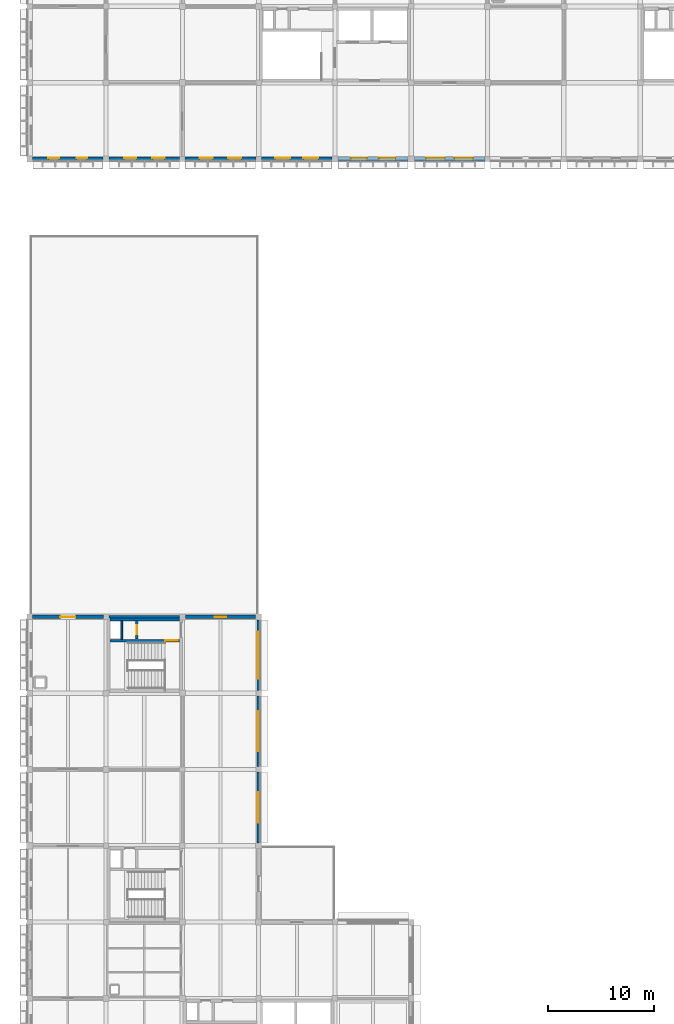
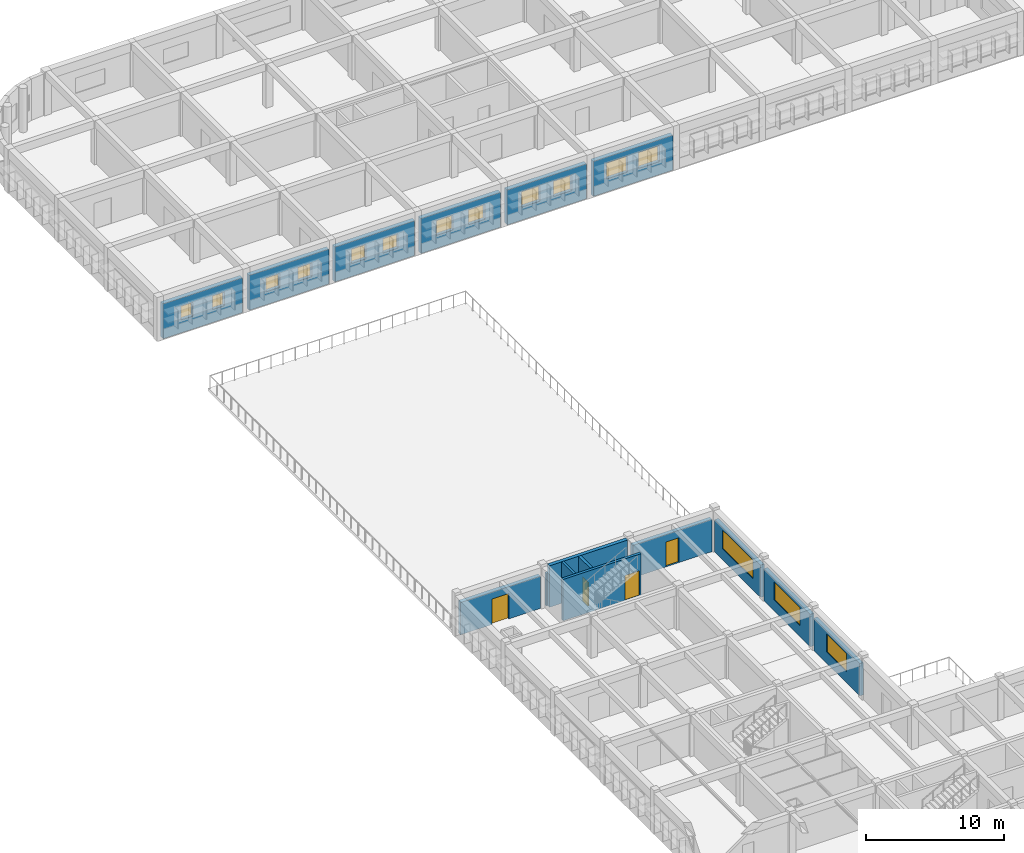
# One storey, part 14 of 22: 16 walls, 15 windows, 4 doors, 19 openings.
"""IFC4 building model written with IfcOpenShell, lengths in metres."""

from ifc_helpers import new_model, si_unit, direction, frame, frame_2d, origin, place, context, subcontext, project, spatial, rectangle, extrude, material, layer, layer_set, type_object, element, fill, save


model = new_model("IFC4")

# Units and contexts
model_context = context("Model", 3, precision=1e-05, world=origin(), true_north=direction((0.0, 1.0)))
body_context = subcontext(model_context, "Body", "Model", "MODEL_VIEW")
ifc_project = project(units=[si_unit("LENGTHUNIT", "METRE"), si_unit("AREAUNIT", "SQUARE_METRE"), si_unit("VOLUMEUNIT", "CUBIC_METRE"), si_unit("PLANEANGLEUNIT", "RADIAN"), si_unit("MASSUNIT", "GRAM", prefix="KILO")], contexts=[model_context])

# Site, building, storey
site_placement = place(None, origin())
site = spatial("IfcSite", under=ifc_project, at=site_placement, CompositionType="ELEMENT")
building_placement = place(site_placement, origin())
building = spatial("IfcBuilding", under=site, at=building_placement, Name="Thalmaran Polytechnic", CompositionType="ELEMENT")
storey_placement = place(building_placement, frame((0.0, 0.0, 22.800048828125)))
storey = spatial("IfcBuildingStorey", under=building, at=storey_placement, Name="L05", CompositionType="ELEMENT", Elevation=22.800048828125)

# Wall, openings, windows
ifc_material_1 = material(Name="Precast concrete C40/50", Category="concrete")
ifc_layer_1 = layer(ifc_material_1, 0.360107421875, Name="Precast concrete C40/50")
ifc_layer_set_1 = layer_set([ifc_layer_1], Name="Precast concrete C40/50")
wall_type_1 = type_object("IfcWallType", Name="WL-EW01", PredefinedType="STANDARD", material=ifc_layer_set_1)
wall_1_placement = place(storey_placement, frame((42.949951171875, 93.60009765625, 0.0), z_axis=(0.0, 0.0, 1.0), x_axis=(-1.0, 0.0, 0.0)))
wall_1 = element("IfcWall", 1, at=wall_1_placement, inside=storey, type_object=wall_type_1, Name="Exterior Precast Facade Wall L05-029", PredefinedType="STANDARD", context=body_context, shape_type="SweptSolid", body=[
    extrude(rectangle(XDim=6.659912109375, YDim=0.360107421875, at=frame_2d((3.330078125, 0.0))), origin(), (0.0, 0.0, 1.0), 3.094970703125),
])
opening_1_placement = place(wall_1_placement, frame((1.123046875, 0.0, 1.14990234375)))
opening_1 = element("IfcOpeningElement", 2, at=opening_1_placement, cuts=wall_1, Name="Opening VW08", PredefinedType="OPENING", context=body_context, shape_type="SweptSolid", body=[
    extrude(rectangle(XDim=1.75, YDim=1.39990234375, at=frame_2d((0.875, 0.699951171875))), frame((0.0, 0.18994140625, 0.0), z_axis=(0.0, -1.0, 0.0), x_axis=(1.0, 0.0, 0.0)), (0.0, 0.0, 1.0), 0.380126953125),
])
opening_2_placement = place(wall_1_placement, frame((3.787109375, 0.0, 1.14990234375)))
opening_2 = element("IfcOpeningElement", 3, at=opening_2_placement, cuts=wall_1, Name="Opening VW08", PredefinedType="OPENING", context=body_context, shape_type="SweptSolid", body=[
    extrude(rectangle(XDim=1.75, YDim=1.39990234375, at=frame_2d((0.875, 0.699951171875))), frame((0.0, 0.18994140625, 0.0), z_axis=(0.0, -1.0, 0.0), x_axis=(1.0, 0.0, 0.0)), (0.0, 0.0, 1.0), 0.380126953125),
])
ifc_material_2 = material(Name="Thermally broken aluminium and double low-E glass", Category="aluminium")
window_type_1 = type_object("IfcWindowType", Name="WN-VZ08", PartitioningType="SINGLE_PANEL", PredefinedType="WINDOW", material=ifc_material_2)
window_1_placement = place(opening_1_placement, origin())
window_1 = element("IfcWindow", 4, at=window_1_placement, inside=storey, type_object=window_type_1, Name="Deep-Set Solar-Screened Window W-0680", OverallHeight=1.39990234375, OverallWidth=1.75, PartitioningType="SINGLE_PANEL", PredefinedType="WINDOW", context=body_context, shape_type="SweptSolid", body=[
    extrude(rectangle(XDim=1.75, YDim=1.39990234375, at=frame_2d((0.875, 0.699951171875))), frame((0.0, -0.080078125, 0.0), z_axis=(0.0, -1.0, 0.0), x_axis=(1.0, 0.0, 0.0)), (0.0, 0.0, 1.0), 0.06005859375),
])
fill(opening_1, window_1)
window_2_placement = place(opening_2_placement, origin())
window_2 = element("IfcWindow", 5, at=window_2_placement, inside=storey, type_object=window_type_1, Name="Deep-Set Solar-Screened Window W-0681", OverallHeight=1.39990234375, OverallWidth=1.75, PartitioningType="SINGLE_PANEL", PredefinedType="WINDOW", context=body_context, shape_type="SweptSolid", body=[
    extrude(rectangle(XDim=1.75, YDim=1.39990234375, at=frame_2d((0.875, 0.699951171875))), frame((0.0, -0.080078125, 0.0), z_axis=(0.0, -1.0, 0.0), x_axis=(1.0, 0.0, 0.0)), (0.0, 0.0, 1.0), 0.06005859375),
])
fill(opening_2, window_2)

wall_2_placement = place(storey_placement, frame((35.7099609375, 93.60009765625, 0.0), z_axis=(0.0, 0.0, 1.0), x_axis=(-1.0, 0.0, 0.0)))
wall_2 = element("IfcWall", 6, at=wall_2_placement, inside=storey, type_object=wall_type_1, Name="Exterior Precast Facade Wall L05-030", PredefinedType="STANDARD", context=body_context, shape_type="SweptSolid", body=[
    extrude(rectangle(XDim=6.635009765625, YDim=0.360107421875, at=frame_2d((3.3173828125, 0.0))), origin(), (0.0, 0.0, 1.0), 3.094970703125),
])
opening_3_placement = place(wall_2_placement, frame((1.215576171875, 0.0, 1.14990234375)))
opening_3 = element("IfcOpeningElement", 7, at=opening_3_placement, cuts=wall_2, Name="Opening VW09", PredefinedType="OPENING", context=body_context, shape_type="SweptSolid", body=[
    extrude(rectangle(XDim=1.550048828125, YDim=1.35009765625, at=frame_2d((0.77490234375, 0.675048828125))), frame((0.0, 0.18994140625, 0.0), z_axis=(0.0, -1.0, 0.0), x_axis=(1.0, 0.0, 0.0)), (0.0, 0.0, 1.0), 0.380126953125),
])
opening_4_placement = place(wall_2_placement, frame((3.869384765625, 0.0, 1.14990234375)))
opening_4 = element("IfcOpeningElement", 8, at=opening_4_placement, cuts=wall_2, Name="Opening VW09", PredefinedType="OPENING", context=body_context, shape_type="SweptSolid", body=[
    extrude(rectangle(XDim=1.550048828125, YDim=1.35009765625, at=frame_2d((0.77490234375, 0.675048828125))), frame((0.0, 0.18994140625, 0.0), z_axis=(0.0, -1.0, 0.0), x_axis=(1.0, 0.0, 0.0)), (0.0, 0.0, 1.0), 0.380126953125),
])
window_type_2 = type_object("IfcWindowType", Name="WN-VZ09", PartitioningType="SINGLE_PANEL", PredefinedType="WINDOW", material=ifc_material_2)
window_3_placement = place(opening_3_placement, origin())
window_3 = element("IfcWindow", 9, at=window_3_placement, inside=storey, type_object=window_type_2, Name="Deep-Set Solar-Screened Window W-0682", OverallHeight=1.35009765625, OverallWidth=1.550048828125, PartitioningType="SINGLE_PANEL", PredefinedType="WINDOW", context=body_context, shape_type="SweptSolid", body=[
    extrude(rectangle(XDim=1.550048828125, YDim=1.35009765625, at=frame_2d((0.77490234375, 0.675048828125))), frame((0.0, -0.080078125, 0.0), z_axis=(0.0, -1.0, 0.0), x_axis=(1.0, 0.0, 0.0)), (0.0, 0.0, 1.0), 0.06005859375),
])
fill(opening_3, window_3)
window_4_placement = place(opening_4_placement, origin())
window_4 = element("IfcWindow", 10, at=window_4_placement, inside=storey, type_object=window_type_2, Name="Deep-Set Solar-Screened Window W-0683", OverallHeight=1.35009765625, OverallWidth=1.550048828125, PartitioningType="SINGLE_PANEL", PredefinedType="WINDOW", context=body_context, shape_type="SweptSolid", body=[
    extrude(rectangle(XDim=1.550048828125, YDim=1.35009765625, at=frame_2d((0.77490234375, 0.675048828125))), frame((0.0, -0.080078125, 0.0), z_axis=(0.0, -1.0, 0.0), x_axis=(1.0, 0.0, 0.0)), (0.0, 0.0, 1.0), 0.06005859375),
])
fill(opening_4, window_4)

wall_3_placement = place(storey_placement, frame((28.52490234375, 93.60009765625, 0.0), z_axis=(0.0, 0.0, 1.0), x_axis=(-1.0, 0.0, 0.0)))
wall_3 = element("IfcWall", 11, at=wall_3_placement, inside=storey, type_object=wall_type_1, Name="Exterior Precast Facade Wall L05-031", PredefinedType="STANDARD", context=body_context, shape_type="SweptSolid", body=[
    extrude(rectangle(XDim=6.664794921875, YDim=0.360107421875, at=frame_2d((3.33251953125, 0.0))), origin(), (0.0, 0.0, 1.0), 3.094970703125),
])
opening_5_placement = place(wall_3_placement, frame((1.299560546875, 0.0, 1.14990234375)))
opening_5 = element("IfcOpeningElement", 12, at=opening_5_placement, cuts=wall_3, Name="Opening VW10", PredefinedType="OPENING", context=body_context, shape_type="SweptSolid", body=[
    extrude(rectangle(XDim=1.39990234375, YDim=1.300048828125, at=frame_2d((0.699951171875, 0.64990234375))), frame((0.0, 0.18994140625, 0.0), z_axis=(0.0, -1.0, 0.0), x_axis=(1.0, 0.0, 0.0)), (0.0, 0.0, 1.0), 0.380126953125),
])
opening_6_placement = place(wall_3_placement, frame((3.965576171875, 0.0, 1.14990234375)))
opening_6 = element("IfcOpeningElement", 13, at=opening_6_placement, cuts=wall_3, Name="Opening VW10", PredefinedType="OPENING", context=body_context, shape_type="SweptSolid", body=[
    extrude(rectangle(XDim=1.39990234375, YDim=1.300048828125, at=frame_2d((0.699951171875, 0.64990234375))), frame((0.0, 0.18994140625, 0.0), z_axis=(0.0, -1.0, 0.0), x_axis=(1.0, 0.0, 0.0)), (0.0, 0.0, 1.0), 0.380126953125),
])
window_type_3 = type_object("IfcWindowType", Name="WN-VZ10", PartitioningType="SINGLE_PANEL", PredefinedType="WINDOW", material=ifc_material_2)
window_5_placement = place(opening_5_placement, origin())
window_5 = element("IfcWindow", 14, at=window_5_placement, inside=storey, type_object=window_type_3, Name="Deep-Set Solar-Screened Window W-0684", OverallHeight=1.300048828125, OverallWidth=1.39990234375, PartitioningType="SINGLE_PANEL", PredefinedType="WINDOW", context=body_context, shape_type="SweptSolid", body=[
    extrude(rectangle(XDim=1.39990234375, YDim=1.300048828125, at=frame_2d((0.699951171875, 0.64990234375))), frame((0.0, -0.080078125, 0.0), z_axis=(0.0, -1.0, 0.0), x_axis=(1.0, 0.0, 0.0)), (0.0, 0.0, 1.0), 0.06005859375),
])
fill(opening_5, window_5)
window_6_placement = place(opening_6_placement, origin())
window_6 = element("IfcWindow", 15, at=window_6_placement, inside=storey, type_object=window_type_3, Name="Deep-Set Solar-Screened Window W-0685", OverallHeight=1.300048828125, OverallWidth=1.39990234375, PartitioningType="SINGLE_PANEL", PredefinedType="WINDOW", context=body_context, shape_type="SweptSolid", body=[
    extrude(rectangle(XDim=1.39990234375, YDim=1.300048828125, at=frame_2d((0.699951171875, 0.64990234375))), frame((0.0, -0.080078125, 0.0), z_axis=(0.0, -1.0, 0.0), x_axis=(1.0, 0.0, 0.0)), (0.0, 0.0, 1.0), 0.06005859375),
])
fill(opening_6, window_6)

wall_4_placement = place(storey_placement, frame((21.340087890625, 93.60009765625, 0.0), z_axis=(0.0, 0.0, 1.0), x_axis=(-1.0, 0.0, 0.0)))
wall_4 = element("IfcWall", 16, at=wall_4_placement, inside=storey, type_object=wall_type_1, Name="Exterior Precast Facade Wall L05-032", PredefinedType="STANDARD", context=body_context, shape_type="SweptSolid", body=[
    extrude(rectangle(XDim=6.690185546875, YDim=0.360107421875, at=frame_2d((3.34521484375, 0.0))), origin(), (0.0, 0.0, 1.0), 3.094970703125),
])
opening_7_placement = place(wall_4_placement, frame((1.382080078125, 0.0, 1.14990234375)))
opening_7 = element("IfcOpeningElement", 17, at=opening_7_placement, cuts=wall_4, Name="Opening VW11", PredefinedType="OPENING", context=body_context, shape_type="SweptSolid", body=[
    extrude(rectangle(XDim=1.25, YDim=1.25, at=frame_2d((0.625, 0.625))), frame((0.0, 0.18994140625, 0.0), z_axis=(0.0, -1.0, 0.0), x_axis=(1.0, 0.0, 0.0)), (0.0, 0.0, 1.0), 0.380126953125),
])
opening_8_placement = place(wall_4_placement, frame((4.05810546875, 0.0, 1.14990234375)))
opening_8 = element("IfcOpeningElement", 18, at=opening_8_placement, cuts=wall_4, Name="Opening VW11", PredefinedType="OPENING", context=body_context, shape_type="SweptSolid", body=[
    extrude(rectangle(XDim=1.25, YDim=1.25, at=frame_2d((0.625, 0.625))), frame((0.0, 0.18994140625, 0.0), z_axis=(0.0, -1.0, 0.0), x_axis=(1.0, 0.0, 0.0)), (0.0, 0.0, 1.0), 0.380126953125),
])
window_type_4 = type_object("IfcWindowType", Name="WN-VZ11", PartitioningType="SINGLE_PANEL", PredefinedType="WINDOW", material=ifc_material_2)
window_7_placement = place(opening_7_placement, origin())
window_7 = element("IfcWindow", 19, at=window_7_placement, inside=storey, type_object=window_type_4, Name="Deep-Set Solar-Screened Window W-0686", OverallHeight=1.25, OverallWidth=1.25, PartitioningType="SINGLE_PANEL", PredefinedType="WINDOW", context=body_context, shape_type="SweptSolid", body=[
    extrude(rectangle(XDim=1.25, YDim=1.25, at=frame_2d((0.625, 0.625))), frame((0.0, -0.080078125, 0.0), z_axis=(0.0, -1.0, 0.0), x_axis=(1.0, 0.0, 0.0)), (0.0, 0.0, 1.0), 0.06005859375),
])
fill(opening_7, window_7)
window_8_placement = place(opening_8_placement, origin())
window_8 = element("IfcWindow", 20, at=window_8_placement, inside=storey, type_object=window_type_4, Name="Deep-Set Solar-Screened Window W-0687", OverallHeight=1.25, OverallWidth=1.25, PartitioningType="SINGLE_PANEL", PredefinedType="WINDOW", context=body_context, shape_type="SweptSolid", body=[
    extrude(rectangle(XDim=1.25, YDim=1.25, at=frame_2d((0.625, 0.625))), frame((0.0, -0.080078125, 0.0), z_axis=(0.0, -1.0, 0.0), x_axis=(1.0, 0.0, 0.0)), (0.0, 0.0, 1.0), 0.06005859375),
])
fill(opening_8, window_8)

wall_5_placement = place(storey_placement, frame((14.14990234375, 93.60009765625, 0.0), z_axis=(0.0, 0.0, 1.0), x_axis=(-1.0, 0.0, 0.0)))
wall_5 = element("IfcWall", 21, at=wall_5_placement, inside=storey, type_object=wall_type_1, Name="Exterior Precast Facade Wall L05-033", PredefinedType="STANDARD", context=body_context, shape_type="SweptSolid", body=[
    extrude(rectangle(XDim=6.659912109375, YDim=0.360107421875, at=frame_2d((3.330078125, 0.0))), origin(), (0.0, 0.0, 1.0), 3.094970703125),
])
opening_9_placement = place(wall_5_placement, frame((1.423095703125, 0.0, 1.14990234375)))
opening_9 = element("IfcOpeningElement", 22, at=opening_9_placement, cuts=wall_5, Name="Opening VW12", PredefinedType="OPENING", context=body_context, shape_type="SweptSolid", body=[
    extrude(rectangle(XDim=1.14990234375, YDim=1.199951171875, at=frame_2d((0.574951171875, 0.60009765625))), frame((0.0, 0.18994140625, 0.0), z_axis=(0.0, -1.0, 0.0), x_axis=(1.0, 0.0, 0.0)), (0.0, 0.0, 1.0), 0.380126953125),
])
opening_10_placement = place(wall_5_placement, frame((4.0869140625, 0.0, 1.14990234375)))
opening_10 = element("IfcOpeningElement", 23, at=opening_10_placement, cuts=wall_5, Name="Opening VW12", PredefinedType="OPENING", context=body_context, shape_type="SweptSolid", body=[
    extrude(rectangle(XDim=1.14990234375, YDim=1.199951171875, at=frame_2d((0.574951171875, 0.60009765625))), frame((0.0, 0.18994140625, 0.0), z_axis=(0.0, -1.0, 0.0), x_axis=(1.0, 0.0, 0.0)), (0.0, 0.0, 1.0), 0.380126953125),
])
window_type_5 = type_object("IfcWindowType", Name="WN-VZ12", PartitioningType="SINGLE_PANEL", PredefinedType="WINDOW", material=ifc_material_2)
window_9_placement = place(opening_9_placement, origin())
window_9 = element("IfcWindow", 24, at=window_9_placement, inside=storey, type_object=window_type_5, Name="Deep-Set Solar-Screened Window W-0688", OverallHeight=1.199951171875, OverallWidth=1.14990234375, PartitioningType="SINGLE_PANEL", PredefinedType="WINDOW", context=body_context, shape_type="SweptSolid", body=[
    extrude(rectangle(XDim=1.14990234375, YDim=1.199951171875, at=frame_2d((0.574951171875, 0.60009765625))), frame((0.0, -0.080078125, 0.0), z_axis=(0.0, -1.0, 0.0), x_axis=(1.0, 0.0, 0.0)), (0.0, 0.0, 1.0), 0.06005859375),
])
fill(opening_9, window_9)
window_10_placement = place(opening_10_placement, origin())
window_10 = element("IfcWindow", 25, at=window_10_placement, inside=storey, type_object=window_type_5, Name="Deep-Set Solar-Screened Window W-0689", OverallHeight=1.199951171875, OverallWidth=1.14990234375, PartitioningType="SINGLE_PANEL", PredefinedType="WINDOW", context=body_context, shape_type="SweptSolid", body=[
    extrude(rectangle(XDim=1.14990234375, YDim=1.199951171875, at=frame_2d((0.574951171875, 0.60009765625))), frame((0.0, -0.080078125, 0.0), z_axis=(0.0, -1.0, 0.0), x_axis=(1.0, 0.0, 0.0)), (0.0, 0.0, 1.0), 0.06005859375),
])
fill(opening_10, window_10)

wall_6_placement = place(storey_placement, frame((6.909912109375, 93.60009765625, 0.0), z_axis=(0.0, 0.0, 1.0), x_axis=(-1.0, 0.0, 0.0)))
wall_6 = element("IfcWall", 26, at=wall_6_placement, inside=storey, type_object=wall_type_1, Name="Exterior Precast Facade Wall L05-034", PredefinedType="STANDARD", context=body_context, shape_type="SweptSolid", body=[
    extrude(rectangle(XDim=6.635009765625, YDim=0.360107421875, at=frame_2d((3.3173828125, 0.0))), origin(), (0.0, 0.0, 1.0), 3.094970703125),
])
opening_11_placement = place(wall_6_placement, frame((1.490478515625, 0.0, 1.14990234375)))
opening_11 = element("IfcOpeningElement", 27, at=opening_11_placement, cuts=wall_6, Name="Opening VW13", PredefinedType="OPENING", context=body_context, shape_type="SweptSolid", body=[
    extrude(rectangle(XDim=1.0, YDim=1.199951171875, at=frame_2d((0.5, 0.60009765625))), frame((0.0, 0.18994140625, 0.0), z_axis=(0.0, -1.0, 0.0), x_axis=(1.0, 0.0, 0.0)), (0.0, 0.0, 1.0), 0.380126953125),
])
opening_12_placement = place(wall_6_placement, frame((4.14453125, 0.0, 1.14990234375)))
opening_12 = element("IfcOpeningElement", 28, at=opening_12_placement, cuts=wall_6, Name="Opening VW13", PredefinedType="OPENING", context=body_context, shape_type="SweptSolid", body=[
    extrude(rectangle(XDim=1.0, YDim=1.199951171875, at=frame_2d((0.5, 0.60009765625))), frame((0.0, 0.18994140625, 0.0), z_axis=(0.0, -1.0, 0.0), x_axis=(1.0, 0.0, 0.0)), (0.0, 0.0, 1.0), 0.380126953125),
])
window_type_6 = type_object("IfcWindowType", Name="WN-VZ13", PartitioningType="SINGLE_PANEL", PredefinedType="WINDOW", material=ifc_material_2)
window_11_placement = place(opening_11_placement, origin())
window_11 = element("IfcWindow", 29, at=window_11_placement, inside=storey, type_object=window_type_6, Name="Deep-Set Solar-Screened Window W-0690", OverallHeight=1.199951171875, OverallWidth=1.0, PartitioningType="SINGLE_PANEL", PredefinedType="WINDOW", context=body_context, shape_type="SweptSolid", body=[
    extrude(rectangle(XDim=1.0, YDim=1.199951171875, at=frame_2d((0.5, 0.60009765625))), frame((0.0, -0.080078125, 0.0), z_axis=(0.0, -1.0, 0.0), x_axis=(1.0, 0.0, 0.0)), (0.0, 0.0, 1.0), 0.06005859375),
])
fill(opening_11, window_11)
window_12_placement = place(opening_12_placement, origin())
window_12 = element("IfcWindow", 30, at=window_12_placement, inside=storey, type_object=window_type_6, Name="Deep-Set Solar-Screened Window W-0691", OverallHeight=1.199951171875, OverallWidth=1.0, PartitioningType="SINGLE_PANEL", PredefinedType="WINDOW", context=body_context, shape_type="SweptSolid", body=[
    extrude(rectangle(XDim=1.0, YDim=1.199951171875, at=frame_2d((0.5, 0.60009765625))), frame((0.0, -0.080078125, 0.0), z_axis=(0.0, -1.0, 0.0), x_axis=(1.0, 0.0, 0.0)), (0.0, 0.0, 1.0), 0.06005859375),
])
fill(opening_12, window_12)

# Wall, opening, door
ifc_layer_2 = layer(ifc_material_1, 0.330078125, Name="Precast concrete C40/50")
ifc_layer_set_2 = layer_set([ifc_layer_2], Name="Precast concrete C40/50")
wall_type_2 = type_object("IfcWallType", Name="WL-EW02", PredefinedType="STANDARD", material=ifc_layer_set_2)
wall_7_placement = place(storey_placement, frame((0.25, 50.39990234375, 0.0), z_axis=(0.0, 0.0, 1.0), x_axis=(1.0, 0.0, 0.0)))
wall_7 = element("IfcWall", 31, at=wall_7_placement, inside=storey, type_object=wall_type_2, Name="Terrace Access Wall L05-046", PredefinedType="STANDARD", context=body_context, shape_type="SweptSolid", body=[
    extrude(rectangle(XDim=6.68994140625, YDim=0.330078125, at=frame_2d((3.344970703125, 0.0))), origin(), (0.0, 0.0, 1.0), 2.864990234375),
])
opening_13_placement = place(wall_7_placement, frame((2.64501953125, 0.0, 0.0)))
opening_13 = element("IfcOpeningElement", 32, at=opening_13_placement, cuts=wall_7, Name="Opening TD-017", PredefinedType="OPENING", context=body_context, shape_type="SweptSolid", body=[
    extrude(rectangle(XDim=1.39990234375, YDim=2.25, at=frame_2d((0.699951171875, 1.125))), frame((0.0, 0.175048828125, 0.0), z_axis=(0.0, -1.0, 0.0), x_axis=(1.0, 0.0, 0.0)), (0.0, 0.0, 1.0), 0.35009765625),
])
ifc_material_3 = material(Name="Anodised aluminium and safety glass", Category="aluminium")
door_type_1 = type_object("IfcDoorType", Name="DR-TD01", OperationType="NOTDEFINED", PredefinedType="DOOR", material=ifc_material_3)
door_1_placement = place(opening_13_placement, origin())
door_1 = element("IfcDoor", 33, at=door_1_placement, inside=storey, type_object=door_type_1, Name="Terrace Access Door TD-017", OperationType="SINGLE_SWING_LEFT", OverallHeight=2.25, OverallWidth=1.39990234375, PredefinedType="DOOR", context=body_context, shape_type="SweptSolid", body=[
    extrude(rectangle(XDim=1.39990234375, YDim=2.25, at=frame_2d((0.699951171875, 1.125))), frame((0.0, 0.02490234375, 0.0), z_axis=(0.0, -1.0, 0.0), x_axis=(1.0, 0.0, 0.0)), (0.0, 0.0, 1.0), 0.050048828125),
])
fill(opening_13, door_1)

wall_8_placement = place(storey_placement, frame((14.675048828125, 50.39990234375, 0.0), z_axis=(0.0, 0.0, 1.0), x_axis=(1.0, 0.0, 0.0)))
wall_8 = element("IfcWall", 34, at=wall_8_placement, inside=storey, type_object=wall_type_2, Name="Terrace Access Wall L05-048", PredefinedType="STANDARD", context=body_context, shape_type="SweptSolid", body=[
    extrude(rectangle(XDim=6.635009765625, YDim=0.330078125, at=frame_2d((3.3173828125, 0.0))), origin(), (0.0, 0.0, 1.0), 2.864990234375),
])
opening_14_placement = place(wall_8_placement, frame((2.767578125, 0.0, 0.0)))
opening_14 = element("IfcOpeningElement", 35, at=opening_14_placement, cuts=wall_8, Name="Opening TD-018", PredefinedType="OPENING", context=body_context, shape_type="SweptSolid", body=[
    extrude(rectangle(XDim=1.10009765625, YDim=2.199951171875, at=frame_2d((0.550048828125, 1.10009765625))), frame((0.0, 0.175048828125, 0.0), z_axis=(0.0, -1.0, 0.0), x_axis=(1.0, 0.0, 0.0)), (0.0, 0.0, 1.0), 0.35009765625),
])
door_type_2 = type_object("IfcDoorType", Name="DR-TD02", OperationType="NOTDEFINED", PredefinedType="DOOR", material=ifc_material_3)
door_2_placement = place(opening_14_placement, origin())
door_2 = element("IfcDoor", 36, at=door_2_placement, inside=storey, type_object=door_type_2, Name="Terrace Access Door TD-018", OperationType="SINGLE_SWING_RIGHT", OverallHeight=2.199951171875, OverallWidth=1.10009765625, PredefinedType="DOOR", context=body_context, shape_type="SweptSolid", body=[
    extrude(rectangle(XDim=1.10009765625, YDim=2.199951171875, at=frame_2d((0.550048828125, 1.10009765625))), frame((0.0, 0.02490234375, 0.0), z_axis=(0.0, -1.0, 0.0), x_axis=(1.0, 0.0, 0.0)), (0.0, 0.0, 1.0), 0.050048828125),
])
fill(opening_14, door_2)

# Wall, opening, window
ifc_layer_3 = layer(ifc_material_1, 0.31005859375, Name="Precast concrete C40/50")
ifc_layer_set_3 = layer_set([ifc_layer_3], Name="Precast concrete C40/50")
wall_type_3 = type_object("IfcWallType", Name="WL-EW03", PredefinedType="STANDARD", material=ifc_layer_set_3)
wall_9_placement = place(storey_placement, frame((21.60009765625, 50.110107421875, 0.0), z_axis=(0.0, 0.0, 1.0), x_axis=(0.0, -1.0, 0.0)))
wall_9 = element("IfcWall", 37, at=wall_9_placement, inside=storey, type_object=wall_type_3, Name="Exterior Precast Facade Wall L05-049", PredefinedType="STANDARD", context=body_context, shape_type="SweptSolid", body=[
    extrude(rectangle(XDim=6.66015625, YDim=0.31005859375, at=frame_2d((3.330078125, 0.0))), origin(), (0.0, 0.0, 1.0), 2.864990234375),
])
opening_15_placement = place(wall_9_placement, frame((1.1298828125, 0.0, 0.97998046875)))
opening_15 = element("IfcOpeningElement", 38, at=opening_15_placement, cuts=wall_9, Name="Opening VW16", PredefinedType="OPENING", context=body_context, shape_type="SweptSolid", body=[
    extrude(rectangle(XDim=4.39990234375, YDim=1.64990234375, at=frame_2d((2.199951171875, 0.824951171875))), frame((0.0, 0.1650390625, 0.0), z_axis=(0.0, -1.0, 0.0), x_axis=(1.0, 0.0, 0.0)), (0.0, 0.0, 1.0), 0.330078125),
])
window_type_7 = type_object("IfcWindowType", Name="WN-VZ16", PartitioningType="TRIPLE_PANEL_HORIZONTAL", PredefinedType="WINDOW", material=ifc_material_2)
window_13_placement = place(opening_15_placement, origin())
window_13 = element("IfcWindow", 39, at=window_13_placement, inside=storey, type_object=window_type_7, Name="Streamline Ribbon Window W-0708", OverallHeight=1.64990234375, OverallWidth=4.39990234375, PartitioningType="SINGLE_PANEL", PredefinedType="WINDOW", context=body_context, shape_type="SweptSolid", body=[
    extrude(rectangle(XDim=4.39990234375, YDim=1.64990234375, at=frame_2d((2.199951171875, 0.824951171875))), frame((0.0, -0.030029296875, 0.0), z_axis=(0.0, -1.0, 0.0), x_axis=(1.0, 0.0, 0.0)), (0.0, 0.0, 1.0), 0.06005859375),
])
fill(opening_15, window_13)

wall_10_placement = place(storey_placement, frame((21.60009765625, 42.949951171875, 0.0), z_axis=(0.0, 0.0, 1.0), x_axis=(0.0, -1.0, 0.0)))
wall_10 = element("IfcWall", 40, at=wall_10_placement, inside=storey, type_object=wall_type_3, Name="Exterior Precast Facade Wall L05-050", PredefinedType="STANDARD", context=body_context, shape_type="SweptSolid", body=[
    extrude(rectangle(XDim=6.68994140625, YDim=0.31005859375, at=frame_2d((3.344970703125, 0.0))), origin(), (0.0, 0.0, 1.0), 2.864990234375),
])
opening_16_placement = place(wall_10_placement, frame((1.445068359375, 0.0, 0.97998046875)))
opening_16 = element("IfcOpeningElement", 41, at=opening_16_placement, cuts=wall_10, Name="Opening VW17", PredefinedType="OPENING", context=body_context, shape_type="SweptSolid", body=[
    extrude(rectangle(XDim=3.800048828125, YDim=1.60009765625, at=frame_2d((1.89990234375, 0.800048828125))), frame((0.0, 0.1650390625, 0.0), z_axis=(0.0, -1.0, 0.0), x_axis=(1.0, 0.0, 0.0)), (0.0, 0.0, 1.0), 0.330078125),
])
window_type_8 = type_object("IfcWindowType", Name="WN-VZ17", PartitioningType="DOUBLE_PANEL_VERTICAL", PredefinedType="WINDOW", material=ifc_material_2)
window_14_placement = place(opening_16_placement, origin())
window_14 = element("IfcWindow", 42, at=window_14_placement, inside=storey, type_object=window_type_8, Name="Streamline Ribbon Window W-0709", OverallHeight=1.60009765625, OverallWidth=3.800048828125, PartitioningType="SINGLE_PANEL", PredefinedType="WINDOW", context=body_context, shape_type="SweptSolid", body=[
    extrude(rectangle(XDim=3.800048828125, YDim=1.60009765625, at=frame_2d((1.89990234375, 0.800048828125))), frame((0.0, -0.030029296875, 0.0), z_axis=(0.0, -1.0, 0.0), x_axis=(1.0, 0.0, 0.0)), (0.0, 0.0, 1.0), 0.06005859375),
])
fill(opening_16, window_14)

wall_11_placement = place(storey_placement, frame((21.60009765625, 35.739990234375, 0.0), z_axis=(0.0, 0.0, 1.0), x_axis=(0.0, -1.0, 0.0)))
wall_11 = element("IfcWall", 43, at=wall_11_placement, inside=storey, type_object=wall_type_3, Name="Exterior Precast Facade Wall L05-051", PredefinedType="STANDARD", context=body_context, shape_type="SweptSolid", body=[
    extrude(rectangle(XDim=6.6650390625, YDim=0.31005859375, at=frame_2d((3.33251953125, 0.0))), origin(), (0.0, 0.0, 1.0), 2.864990234375),
])
opening_17_placement = place(wall_11_placement, frame((1.882568359375, 0.0, 0.97998046875)))
opening_17 = element("IfcOpeningElement", 44, at=opening_17_placement, cuts=wall_11, Name="Opening VW18", PredefinedType="OPENING", context=body_context, shape_type="SweptSolid", body=[
    extrude(rectangle(XDim=2.89990234375, YDim=1.60009765625, at=frame_2d((1.449951171875, 0.800048828125))), frame((0.0, 0.1650390625, 0.0), z_axis=(0.0, -1.0, 0.0), x_axis=(1.0, 0.0, 0.0)), (0.0, 0.0, 1.0), 0.330078125),
])
window_type_9 = type_object("IfcWindowType", Name="WN-VZ18", PartitioningType="DOUBLE_PANEL_VERTICAL", PredefinedType="WINDOW", material=ifc_material_2)
window_15_placement = place(opening_17_placement, origin())
window_15 = element("IfcWindow", 45, at=window_15_placement, inside=storey, type_object=window_type_9, Name="Streamline Ribbon Window W-0710", OverallHeight=1.60009765625, OverallWidth=2.89990234375, PartitioningType="SINGLE_PANEL", PredefinedType="WINDOW", context=body_context, shape_type="SweptSolid", body=[
    extrude(rectangle(XDim=2.89990234375, YDim=1.60009765625, at=frame_2d((1.449951171875, 0.800048828125))), frame((0.0, -0.030029296875, 0.0), z_axis=(0.0, -1.0, 0.0), x_axis=(1.0, 0.0, 0.0)), (0.0, 0.0, 1.0), 0.06005859375),
])
fill(opening_17, window_15)

# Wall
ifc_material_4 = material(Name="Translucent architectural glass block", Category="glass")
ifc_layer_4 = layer(ifc_material_4, 0.239990234375, Name="Translucent architectural glass block")
ifc_layer_set_4 = layer_set([ifc_layer_4], Name="Translucent architectural glass block")
wall_type_4 = type_object("IfcWallType", Name="WL-GB01", PredefinedType="STANDARD", material=ifc_layer_set_4)
wall_12_placement = place(storey_placement, frame((7.4599609375, 50.39990234375, 0.0), z_axis=(0.0, 0.0, 1.0), x_axis=(1.0, 0.0, 0.0)))
element("IfcWall", 46, at=wall_12_placement, inside=storey, type_object=wall_type_4, Name="Streamline Glass-Block Stair Strip L05-047", PredefinedType="STANDARD", context=body_context, shape_type="SweptSolid", body=[
    extrude(rectangle(XDim=6.6650390625, YDim=0.239990234375, at=frame_2d((3.33251953125, 0.0))), origin(), (0.0, 0.0, 1.0), 2.864990234375),
])

# Wall, opening, door
ifc_material_5 = material(Name="Autoclaved aerated masonry", Category="masonry")
ifc_layer_5 = layer(ifc_material_5, 0.22998046875, Name="Autoclaved aerated masonry")
ifc_layer_set_5 = layer_set([ifc_layer_5], Name="Autoclaved aerated masonry")
wall_type_5 = type_object("IfcWallType", Name="WL-IW02", PredefinedType="PARTITIONING", material=ifc_layer_set_5)
wall_13_placement = place(storey_placement, frame((10.10009765625, 48.300048828125, 0.0), z_axis=(0.0, 0.0, 1.0), x_axis=(0.0, 1.0, 0.0)))
wall_13 = element("IfcWall", 47, at=wall_13_placement, inside=storey, type_object=wall_type_5, Name="Core C4 Riser Partition L05", PredefinedType="PARTITIONING", context=body_context, shape_type="SweptSolid", body=[
    extrude(rectangle(XDim=1.739990234375, YDim=0.22998046875, at=frame_2d((0.8701171875, 0.0))), origin(), (0.0, 0.0, 1.0), 3.669921875),
])
opening_18_placement = place(wall_13_placement, frame((0.449951171875, 0.0, 0.0)))
opening_18 = element("IfcOpeningElement", 48, at=opening_18_placement, cuts=wall_13, Name="Opening DR-C4-L05-R", PredefinedType="OPENING", context=body_context, shape_type="SweptSolid", body=[
    extrude(rectangle(XDim=0.85009765625, YDim=2.10009765625, at=frame_2d((0.425048828125, 1.050048828125))), frame((0.0, 0.125, 0.0), z_axis=(0.0, -1.0, 0.0), x_axis=(1.0, 0.0, 0.0)), (0.0, 0.0, 1.0), 0.25),
])
ifc_material_6 = material(Name="Powder-coated fire-rated steel", Category="steel")
door_type_3 = type_object("IfcDoorType", Name="DR-FD09", OperationType="NOTDEFINED", PredefinedType="DOOR", material=ifc_material_6)
door_3_placement = place(opening_18_placement, origin())
door_3 = element("IfcDoor", 49, at=door_3_placement, inside=storey, type_object=door_type_3, Name="Riser Access Fire Door C4 L05", OperationType="SINGLE_SWING_RIGHT", OverallHeight=2.10009765625, OverallWidth=0.85009765625, PredefinedType="DOOR", context=body_context, shape_type="SweptSolid", body=[
    extrude(rectangle(XDim=0.85009765625, YDim=2.10009765625, at=frame_2d((0.425048828125, 1.050048828125))), frame((0.0, 0.02490234375, 0.0), z_axis=(0.0, -1.0, 0.0), x_axis=(1.0, 0.0, 0.0)), (0.0, 0.0, 1.0), 0.050048828125),
])
fill(opening_18, door_3)

# Walls
ifc_layer_6 = layer(ifc_material_5, 0.179931640625, Name="Autoclaved aerated masonry")
ifc_layer_set_6 = layer_set([ifc_layer_6], Name="Autoclaved aerated masonry")
wall_type_6 = type_object("IfcWallType", Name="WL-IW04", PredefinedType="PARTITIONING", material=ifc_layer_set_6)
wall_14_placement = place(storey_placement, frame((8.679931640625, 48.280029296875, 0.0), z_axis=(0.0, 0.0, 1.0), x_axis=(0.0, 1.0, 0.0)))
element("IfcWall", 50, at=wall_14_placement, inside=storey, type_object=wall_type_6, Name="Core C4 Riser Shaft Enclosure Wall L05", PredefinedType="PARTITIONING", context=body_context, shape_type="SweptSolid", body=[
    extrude(rectangle(XDim=1.760009765625, YDim=0.179931640625, at=frame_2d((0.8798828125, 0.0))), origin(), (0.0, 0.0, 1.0), 3.669921875),
])
ifc_material_7 = material(Name="Concrete C50/60", Category="concrete")
ifc_layer_7 = layer(ifc_material_7, 0.300048828125, Name="Concrete C50/60")
ifc_layer_set_7 = layer_set([ifc_layer_7], Name="Concrete C50/60")
wall_type_7 = type_object("IfcWallType", Name="WL-SW04", PredefinedType="SHEAR", material=ifc_layer_set_7)
wall_15_placement = place(storey_placement, frame((7.570068359375, 50.179931640625, 0.0), z_axis=(0.0, 0.0, 1.0), x_axis=(1.0, 0.0, 0.0)))
element("IfcWall", 51, at=wall_15_placement, inside=storey, type_object=wall_type_7, Name="Core C4 North Shear Wall L05", PredefinedType="SHEAR", context=body_context, shape_type="SweptSolid", body=[
    extrude(rectangle(XDim=6.5400390625, YDim=0.300048828125, at=frame_2d((3.27001953125, 0.0))), origin(), (0.0, 0.0, 1.0), 3.669921875),
])

# Wall, opening, door
wall_16_placement = place(storey_placement, frame((7.570068359375, 48.159912109375, 0.0), z_axis=(0.0, 0.0, 1.0), x_axis=(1.0, 0.0, 0.0)))
wall_16 = element("IfcWall", 52, at=wall_16_placement, inside=storey, type_object=wall_type_7, Name="Core C4 Stair Partition L05", PredefinedType="SHEAR", context=body_context, shape_type="SweptSolid", body=[
    extrude(rectangle(XDim=6.5400390625, YDim=0.219970703125, at=frame_2d((3.27001953125, 0.0))), origin(), (0.0, 0.0, 1.0), 3.669921875),
])
opening_19_placement = place(wall_16_placement, frame((5.199951171875, 0.0, 0.0)))
opening_19 = element("IfcOpeningElement", 53, at=opening_19_placement, cuts=wall_16, Name="Opening SD-ST4-L05", PredefinedType="OPENING", context=body_context, shape_type="SweptSolid", body=[
    extrude(rectangle(XDim=1.199951171875, YDim=2.199951171875, at=frame_2d((0.60009765625, 1.10009765625))), frame((0.0, 0.119873046875, 0.0), z_axis=(0.0, -1.0, 0.0), x_axis=(1.0, 0.0, 0.0)), (0.0, 0.0, 1.0), 0.239990234375),
])
door_type_4 = type_object("IfcDoorType", Name="DR-FD04", OperationType="NOTDEFINED", PredefinedType="DOOR", material=ifc_material_6)
door_4_placement = place(opening_19_placement, origin())
door_4 = element("IfcDoor", 54, at=door_4_placement, inside=storey, type_object=door_type_4, Name="Exit Stair Fire Door ST4 L05", OperationType="DOUBLE_DOOR_SINGLE_SWING", OverallHeight=2.199951171875, OverallWidth=1.199951171875, PredefinedType="DOOR", context=body_context, shape_type="SweptSolid", body=[
    extrude(rectangle(XDim=1.199951171875, YDim=2.199951171875, at=frame_2d((0.60009765625, 1.10009765625))), frame((0.0, 0.02490234375, 0.0), z_axis=(0.0, -1.0, 0.0), x_axis=(1.0, 0.0, 0.0)), (0.0, 0.0, 1.0), 0.050048828125),
])
fill(opening_19, door_4)

save(model, "model.ifc")
